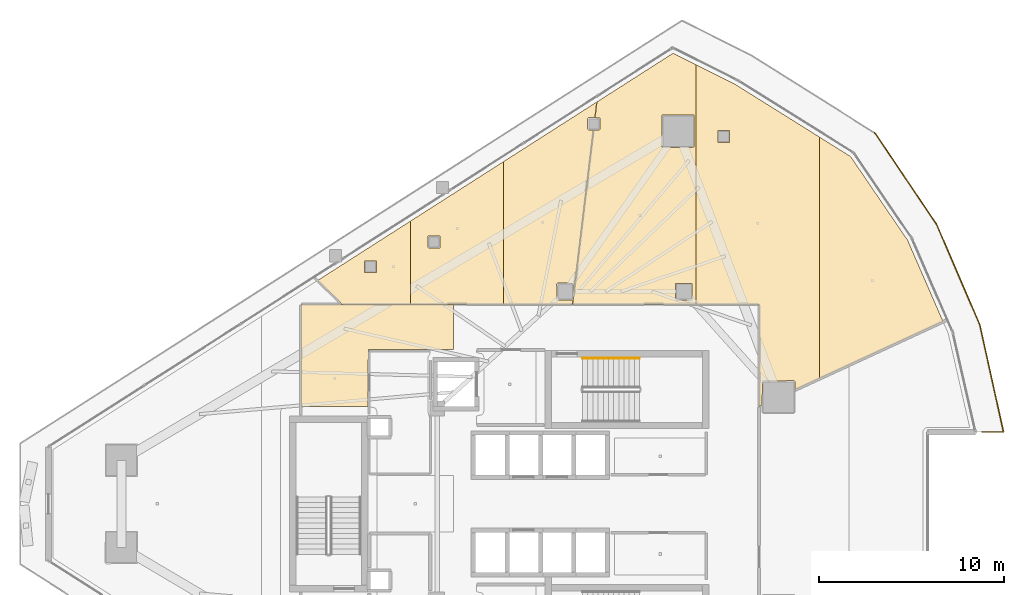
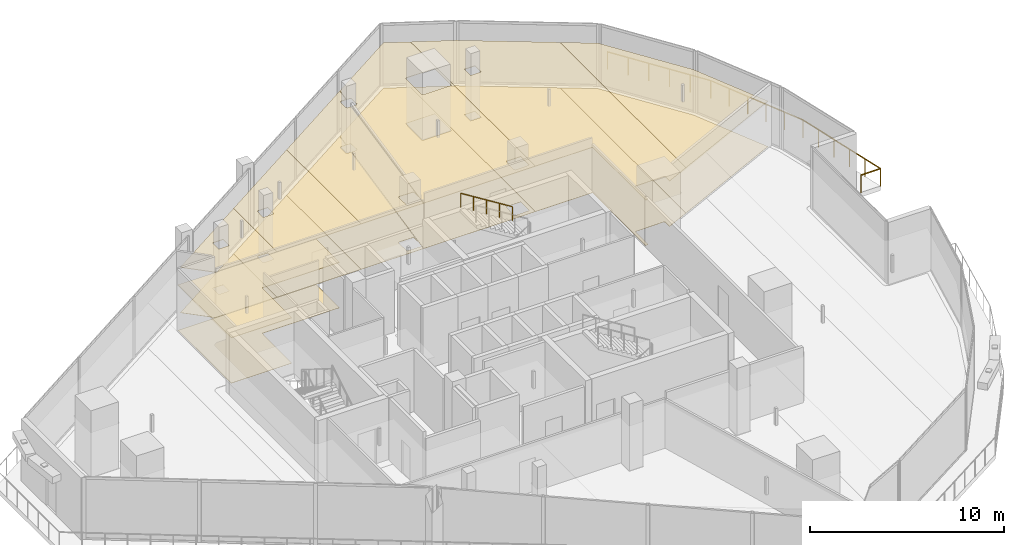
# One storey, part 31 of 31: 14 coverings, 2 railings.
"""IFC4 building model written with IfcOpenShell, lengths in metres."""

from ifc_helpers import new_model, si_unit, direction, frame, origin, origin_2d, place, context, subcontext, project, spatial, polyline, circle, outline, extrude, material, layer, layer_set, type_object, element, save


model = new_model("IFC4")

# Units and contexts
model_context = context("Model", 3, precision=1e-05, world=origin(), true_north=direction((0.0, 1.0)))
body_context = subcontext(model_context, "Body", "Model", "MODEL_VIEW")
ifc_project = project(units=[si_unit("LENGTHUNIT", "METRE"), si_unit("AREAUNIT", "SQUARE_METRE"), si_unit("VOLUMEUNIT", "CUBIC_METRE"), si_unit("PLANEANGLEUNIT", "RADIAN"), si_unit("MASSUNIT", "GRAM", prefix="KILO")], contexts=[model_context])

# Site, building, storey
site_placement = place(None, origin())
site = spatial("IfcSite", under=ifc_project, at=site_placement, CompositionType="ELEMENT")
building_placement = place(site_placement, origin())
building = spatial("IfcBuilding", under=site, at=building_placement, Name="Qorvath Tower", CompositionType="ELEMENT")
storey_placement = place(building_placement, frame((0.0, 0.0, 259.800048828125)))
storey = spatial("IfcBuildingStorey", under=building, at=storey_placement, Name="L60", CompositionType="ELEMENT", Elevation=259.800048828125)

# Coverings
ifc_material_1 = material(Name="Acoustic mineral fibre ceiling tile", Category="gypsum")
ifc_layer_1 = layer(ifc_material_1, 0.030029296875)
ifc_layer_set_1 = layer_set([ifc_layer_1], Name="COV-CEIL")
covering_type_1 = type_object("IfcCoveringType", Name="COV-CEIL", PredefinedType="CEILING", material=ifc_layer_set_1)
covering_1_placement = place(storey_placement, frame((0.0, 0.0, 2.849853515625)))
element("IfcCovering", 1, at=covering_1_placement, inside=storey, type_object=covering_type_1, Name="L60 Suspended Acoustic Ceiling 008", PredefinedType="CEILING", context=body_context, shape_type="SweptSolid", body=[
    extrude(outline(polyline([(-29.614990234375, 8.324951171875), (-29.614990234375, 10.7451171875), (-37.844970703125, 10.7451171875), (-37.844970703125, 5.239990234375), (-34.2509765625, 5.239990234375), (-34.219970703125, 8.324951171875), (-29.614990234375, 8.324951171875)])), origin(), (0.0, 0.0, 1.0), 0.030029296875),
])
covering_2_placement = place(storey_placement, frame((0.0, 0.0, 2.849853515625)))
element("IfcCovering", 2, at=covering_2_placement, inside=storey, type_object=covering_type_1, Name="L60 Suspended Acoustic Ceiling 016", PredefinedType="CEILING", context=body_context, shape_type="SweptSolid", body=[
    extrude(outline(polyline([(-17.787109375, 24.300048828125), (-21.8857421875, 21.680419921875), (-21.98828125, 20.829833984375), (-21.73583984375, 20.812255859375), (-21.71826171875, 20.219970703125), (-21.7783203125, 20.159912109375), (-22.06884765625, 20.159912109375), (-23.19970703125, 10.762939453125), (-16.541015625, 10.761962890625), (-16.541015625, 23.677001953125), (-17.787109375, 24.300048828125)]), holes=[polyline([(-18.400390625, 19.276611328125), (-18.3828125, 20.968994140625), (-16.648193359375, 20.968994140625), (-16.648193359375, 19.234130859375), (-18.340576171875, 19.216552734375), (-18.400390625, 19.276611328125)]), polyline([(-17.659912109375, 11.050048828125), (-17.642333984375, 11.892333984375), (-16.757568359375, 11.892333984375), (-16.757568359375, 11.007568359375), (-17.60009765625, 10.989990234375), (-17.659912109375, 11.050048828125)])]), origin(), (0.0, 0.0, 1.0), 0.030029296875),
])
covering_3_placement = place(storey_placement, frame((0.0, 0.0, 2.849853515625)))
element("IfcCovering", 3, at=covering_3_placement, inside=storey, type_object=covering_type_1, Name="L60 Suspended Acoustic Ceiling 017", PredefinedType="CEILING", context=body_context, shape_type="SweptSolid", body=[
    extrude(outline(polyline([(-16.541015625, 23.677001953125), (-16.541015625, 10.761962890625), (-13.138427734375, 10.761474609375), (-13.136962890625, 5.25927734375), (-12.981689453125, 5.3310546875), (-12.964111328125, 6.625244140625), (-11.271728515625, 6.642822265625), (-11.2119140625, 6.5830078125), (-11.2119140625, 6.14794921875), (-9.882080078125, 6.76171875), (-9.882080078125, 19.778076171875), (-14.4140625, 22.613525390625), (-16.541015625, 23.677001953125)]), holes=[polyline([(-15.363525390625, 19.500732421875), (-15.363525390625, 20.135498046875), (-14.728759765625, 20.135498046875), (-14.728759765625, 19.500732421875), (-15.363525390625, 19.500732421875)])]), origin(), (0.0, 0.0, 1.0), 0.030029296875),
])
covering_4_placement = place(storey_placement, frame((0.0, 0.0, 2.849853515625)))
element("IfcCovering", 4, at=covering_4_placement, inside=storey, type_object=covering_type_1, Name="L60 Suspended Acoustic Ceiling 018", PredefinedType="CEILING", context=body_context, shape_type="SweptSolid", body=[
    extrude(outline(polyline([(-9.882080078125, 19.778076171875), (-9.882080078125, 6.76171875), (-3.223388671875, 9.83544921875), (-5.135986328125, 14.220947265625), (-8.21044921875, 18.732177734375), (-9.882080078125, 19.778076171875)])), origin(), (0.0, 0.0, 1.0), 0.030029296875),
])
covering_5_placement = place(storey_placement, frame((0.0, 0.0, 2.849853515625)))
element("IfcCovering", 5, at=covering_5_placement, inside=storey, type_object=covering_type_1, Name="L60 Suspended Acoustic Ceiling 019", PredefinedType="CEILING", context=body_context, shape_type="SweptSolid", body=[
    extrude(outline(polyline([(-31.93994140625, 10.762939453125), (-31.93994140625, 15.25439453125), (-36.95703125, 12.0478515625), (-35.626708984375, 10.762939453125), (-31.93994140625, 10.762939453125)]), holes=[polyline([(-34.421630859375, 12.47509765625), (-34.421630859375, 13.10986328125), (-33.786865234375, 13.10986328125), (-33.786865234375, 12.47509765625), (-34.421630859375, 12.47509765625)])]), origin(), (0.0, 0.0, 1.0), 0.030029296875),
])
covering_6_placement = place(storey_placement, frame((0.0, 0.0, 2.849853515625)))
element("IfcCovering", 6, at=covering_6_placement, inside=storey, type_object=covering_type_1, Name="L60 Suspended Acoustic Ceiling 020", PredefinedType="CEILING", context=body_context, shape_type="SweptSolid", body=[
    extrude(outline(polyline([(-26.922607421875, 10.762939453125), (-26.922607421875, 18.461181640625), (-31.93994140625, 15.25439453125), (-31.93994140625, 10.762939453125), (-26.922607421875, 10.762939453125)]), holes=[polyline([(-31.01220703125, 13.849365234375), (-30.99462890625, 14.441650390625), (-30.35986328125, 14.441650390625), (-30.35986328125, 13.806884765625), (-30.9521484375, 13.789306640625), (-31.01220703125, 13.849365234375)])]), origin(), (0.0, 0.0, 1.0), 0.030029296875),
])
covering_7_placement = place(storey_placement, frame((0.0, 0.0, 2.849853515625)))
element("IfcCovering", 7, at=covering_7_placement, inside=storey, type_object=covering_type_1, Name="L60 Suspended Acoustic Ceiling 021", PredefinedType="CEILING", context=body_context, shape_type="SweptSolid", body=[
    extrude(outline(polyline([(-22.328125, 20.829833984375), (-22.00634765625, 20.829833984375), (-21.905517578125, 21.667724609375), (-26.922607421875, 18.461181640625), (-26.922607421875, 10.762939453125), (-23.2177734375, 10.762939453125), (-23.18994140625, 10.994140625), (-24.04248046875, 11.007568359375), (-24.06005859375, 11.85009765625), (-24.0, 11.909912109375), (-23.157470703125, 11.892333984375), (-23.139892578125, 11.40966796875), (-22.0869140625, 20.159912109375), (-22.328125, 20.159912109375), (-22.38818359375, 20.219970703125), (-22.38818359375, 20.77001953125), (-22.328125, 20.829833984375)])), origin(), (0.0, 0.0, 1.0), 0.030029296875),
])
ifc_material_2 = material(Name="Low-VOC modular carpet tile", Category="textile")
ifc_layer_2 = layer(ifc_material_2, 0.014892578125)
ifc_layer_set_2 = layer_set([ifc_layer_2], Name="COV-FLOOR-CPT")
covering_type_2 = type_object("IfcCoveringType", Name="COV-FLOOR-CPT", PredefinedType="FLOORING", material=ifc_layer_set_2)
covering_8_placement = place(storey_placement, origin())
element("IfcCovering", 8, at=covering_8_placement, inside=storey, type_object=covering_type_2, Name="L60 Floor Finish 016", PredefinedType="FLOORING", context=body_context, shape_type="SweptSolid", body=[
    extrude(outline(polyline([(-17.787109375, 24.300048828125), (-21.8857421875, 21.680419921875), (-21.98828125, 20.829833984375), (-21.73583984375, 20.812255859375), (-21.71826171875, 20.219970703125), (-21.7783203125, 20.159912109375), (-22.06884765625, 20.159912109375), (-23.19970703125, 10.762939453125), (-16.541015625, 10.761962890625), (-16.541015625, 23.677001953125), (-17.787109375, 24.300048828125)]), holes=[polyline([(-18.400390625, 19.276611328125), (-18.3828125, 20.968994140625), (-16.648193359375, 20.968994140625), (-16.648193359375, 19.234130859375), (-18.340576171875, 19.216552734375), (-18.400390625, 19.276611328125)]), polyline([(-17.659912109375, 11.050048828125), (-17.642333984375, 11.892333984375), (-16.757568359375, 11.892333984375), (-16.757568359375, 11.007568359375), (-17.60009765625, 10.989990234375), (-17.659912109375, 11.050048828125)])]), origin(), (0.0, 0.0, 1.0), 0.014892578125),
])
covering_9_placement = place(storey_placement, origin())
element("IfcCovering", 9, at=covering_9_placement, inside=storey, type_object=covering_type_2, Name="L60 Floor Finish 017", PredefinedType="FLOORING", context=body_context, shape_type="SweptSolid", body=[
    extrude(outline(polyline([(-16.541015625, 23.677001953125), (-16.541015625, 10.761962890625), (-13.138427734375, 10.761474609375), (-13.136962890625, 5.25927734375), (-12.981689453125, 5.3310546875), (-12.964111328125, 6.625244140625), (-11.271728515625, 6.642822265625), (-11.2119140625, 6.5830078125), (-11.2119140625, 6.14794921875), (-9.882080078125, 6.76171875), (-9.882080078125, 19.778076171875), (-14.4140625, 22.613525390625), (-16.541015625, 23.677001953125)]), holes=[polyline([(-15.363525390625, 19.500732421875), (-15.363525390625, 20.135498046875), (-14.728759765625, 20.135498046875), (-14.728759765625, 19.500732421875), (-15.363525390625, 19.500732421875)])]), origin(), (0.0, 0.0, 1.0), 0.014892578125),
])
covering_10_placement = place(storey_placement, origin())
element("IfcCovering", 10, at=covering_10_placement, inside=storey, type_object=covering_type_2, Name="L60 Floor Finish 018", PredefinedType="FLOORING", context=body_context, shape_type="SweptSolid", body=[
    extrude(outline(polyline([(-9.882080078125, 19.778076171875), (-9.882080078125, 6.76171875), (-3.223388671875, 9.83544921875), (-5.135986328125, 14.220947265625), (-8.21044921875, 18.732177734375), (-9.882080078125, 19.778076171875)])), origin(), (0.0, 0.0, 1.0), 0.014892578125),
])
covering_11_placement = place(storey_placement, origin())
element("IfcCovering", 11, at=covering_11_placement, inside=storey, type_object=covering_type_2, Name="L60 Floor Finish 019", PredefinedType="FLOORING", context=body_context, shape_type="SweptSolid", body=[
    extrude(outline(polyline([(-31.93994140625, 10.762939453125), (-31.93994140625, 15.25439453125), (-36.95703125, 12.0478515625), (-35.626708984375, 10.762939453125), (-31.93994140625, 10.762939453125)]), holes=[polyline([(-34.421630859375, 12.47509765625), (-34.421630859375, 13.10986328125), (-33.786865234375, 13.10986328125), (-33.786865234375, 12.47509765625), (-34.421630859375, 12.47509765625)])]), origin(), (0.0, 0.0, 1.0), 0.014892578125),
])
covering_12_placement = place(storey_placement, origin())
element("IfcCovering", 12, at=covering_12_placement, inside=storey, type_object=covering_type_2, Name="L60 Floor Finish 020", PredefinedType="FLOORING", context=body_context, shape_type="SweptSolid", body=[
    extrude(outline(polyline([(-26.922607421875, 10.762939453125), (-26.922607421875, 18.461181640625), (-31.93994140625, 15.25439453125), (-31.93994140625, 10.762939453125), (-26.922607421875, 10.762939453125)]), holes=[polyline([(-31.01220703125, 13.849365234375), (-30.99462890625, 14.441650390625), (-30.35986328125, 14.441650390625), (-30.35986328125, 13.806884765625), (-30.9521484375, 13.789306640625), (-31.01220703125, 13.849365234375)])]), origin(), (0.0, 0.0, 1.0), 0.014892578125),
])
covering_13_placement = place(storey_placement, origin())
element("IfcCovering", 13, at=covering_13_placement, inside=storey, type_object=covering_type_2, Name="L60 Floor Finish 021", PredefinedType="FLOORING", context=body_context, shape_type="SweptSolid", body=[
    extrude(outline(polyline([(-22.328125, 20.829833984375), (-22.00634765625, 20.829833984375), (-21.905517578125, 21.667724609375), (-26.922607421875, 18.461181640625), (-26.922607421875, 10.762939453125), (-23.2177734375, 10.762939453125), (-23.18994140625, 10.994140625), (-24.04248046875, 11.007568359375), (-24.06005859375, 11.85009765625), (-24.0, 11.909912109375), (-23.157470703125, 11.892333984375), (-23.139892578125, 11.40966796875), (-22.0869140625, 20.159912109375), (-22.328125, 20.159912109375), (-22.38818359375, 20.219970703125), (-22.38818359375, 20.77001953125), (-22.328125, 20.829833984375)])), origin(), (0.0, 0.0, 1.0), 0.014892578125),
])
ifc_material_3 = material(Name="Polished epoxy terrazzo flooring", Category="concrete")
ifc_layer_3 = layer(ifc_material_3, 0.02001953125)
ifc_layer_set_3 = layer_set([ifc_layer_3], Name="COV-FLOOR-TRZ")
covering_type_3 = type_object("IfcCoveringType", Name="COV-FLOOR-TRZ", PredefinedType="FLOORING", material=ifc_layer_set_3)
covering_14_placement = place(storey_placement, origin())
element("IfcCovering", 14, at=covering_14_placement, inside=storey, type_object=covering_type_3, Name="L60 Floor Finish 008", PredefinedType="FLOORING", context=body_context, shape_type="SweptSolid", body=[
    extrude(outline(polyline([(-29.614990234375, 8.324951171875), (-29.614990234375, 10.7451171875), (-37.844970703125, 10.7451171875), (-37.844970703125, 5.239990234375), (-34.2509765625, 5.239990234375), (-34.219970703125, 8.324951171875), (-29.614990234375, 8.324951171875)])), origin(), (0.0, 0.0, 1.0), 0.014892578125),
])

# Railings
ifc_material_4 = material(Name="Laminated safety glass and stainless steel AISI 316", Category="steel")
railing_type_1 = type_object("IfcRailingType", Name="RL-EXT-GRD", PredefinedType="GUARDRAIL", material=ifc_material_4)
railing_1_placement = place(storey_placement, frame((-6.9091796875, 20.01513671875, 0.0)))
element("IfcRailing", 15, at=railing_1_placement, inside=storey, type_object=railing_type_1, Name="Loggia Perimeter Guardrail L60-1.1", PredefinedType="GUARDRAIL", context=body_context, shape_type="SweptSolid", body=[
    extrude(circle(Radius=0.02392578125, at=origin_2d()), frame((0.0, 0.0, 1.09619140625), z_axis=(0.560823562392, -0.827935342805, 0.0), x_axis=(0.827935342805, 0.560823562392, 0.0)), (0.0, 0.0, 1.0), 5.92919921875),
    extrude(circle(Radius=0.02392578125, at=origin_2d()), frame((3.3251953125, -4.908935546875, 1.09619140625), z_axis=(0.395474271898, -0.91847705484, 0.0), x_axis=(0.91847705484, 0.395474271898, 0.0)), (0.0, 0.0, 1.0), 5.928955078125),
    extrude(circle(Radius=0.02392578125, at=origin_2d()), frame((5.669921875, -10.3544921875, 1.09619140625), z_axis=(0.216101975882, -0.976370798426, 0.0), x_axis=(0.976370798426, 0.216101975882, 0.0)), (0.0, 0.0, 1.0), 5.928955078125),
    extrude(circle(Radius=0.02392578125, at=origin_2d()), frame((6.951171875, -16.143310546875, 1.09619140625), z_axis=(-1.0, 0.0, 0.0), x_axis=(0.0, -1.0, 0.0)), (0.0, 0.0, 1.0), 1.158935546875),
    extrude(circle(Radius=0.02099609375, at=origin_2d()), origin(), (0.0, 0.0, 1.0), 1.072021484375),
    extrude(circle(Radius=0.02099609375, at=origin_2d()), frame((0.6650390625, -0.981689453125, 0.0)), (0.0, 0.0, 1.0), 1.072021484375),
    extrude(circle(Radius=0.02099609375, at=origin_2d()), frame((1.330078125, -1.963623046875, 0.0)), (0.0, 0.0, 1.0), 1.072021484375),
    extrude(circle(Radius=0.02099609375, at=origin_2d()), frame((1.9951171875, -2.9453125, 0.0)), (0.0, 0.0, 1.0), 1.072021484375),
    extrude(circle(Radius=0.02099609375, at=origin_2d()), frame((2.66015625, -3.92724609375, 0.0)), (0.0, 0.0, 1.0), 1.072021484375),
    extrude(circle(Radius=0.02099609375, at=origin_2d()), frame((3.3251953125, -4.908935546875, 0.0)), (0.0, 0.0, 1.0), 1.072021484375),
    extrude(circle(Radius=0.02099609375, at=origin_2d()), frame((3.794189453125, -5.998046875, 0.0)), (0.0, 0.0, 1.0), 1.072021484375),
    extrude(circle(Radius=0.02099609375, at=origin_2d()), frame((4.26318359375, -7.087158203125, 0.0)), (0.0, 0.0, 1.0), 1.072021484375),
    extrude(circle(Radius=0.02099609375, at=origin_2d()), frame((4.73193359375, -8.17626953125, 0.0)), (0.0, 0.0, 1.0), 1.072021484375),
    extrude(circle(Radius=0.02099609375, at=origin_2d()), frame((5.200927734375, -9.265380859375, 0.0)), (0.0, 0.0, 1.0), 1.072021484375),
    extrude(circle(Radius=0.02099609375, at=origin_2d()), frame((5.669921875, -10.3544921875, 0.0)), (0.0, 0.0, 1.0), 1.072021484375),
    extrude(circle(Radius=0.02099609375, at=origin_2d()), frame((5.92626953125, -11.51220703125, 0.0)), (0.0, 0.0, 1.0), 1.072021484375),
    extrude(circle(Radius=0.02099609375, at=origin_2d()), frame((6.182373046875, -12.669921875, 0.0)), (0.0, 0.0, 1.0), 1.072021484375),
    extrude(circle(Radius=0.02099609375, at=origin_2d()), frame((6.438720703125, -13.827880859375, 0.0)), (0.0, 0.0, 1.0), 1.072021484375),
    extrude(circle(Radius=0.02099609375, at=origin_2d()), frame((6.69482421875, -14.985595703125, 0.0)), (0.0, 0.0, 1.0), 1.072021484375),
    extrude(circle(Radius=0.02099609375, at=origin_2d()), frame((6.951171875, -16.143310546875, 0.0)), (0.0, 0.0, 1.0), 1.072021484375),
    extrude(circle(Radius=0.02099609375, at=origin_2d()), frame((5.792236328125, -16.143310546875, 0.0)), (0.0, 0.0, 1.0), 1.072021484375),
])
ifc_material_5 = material(Name="Brushed stainless steel AISI 304", Category="steel")
railing_type_2 = type_object("IfcRailingType", Name="RL-STR-HND", PredefinedType="HANDRAIL", material=ifc_material_5)
railing_2_placement = place(storey_placement, frame((-19.590087890625, 7.860107421875, 2.27490234375)))
element("IfcRailing", 16, at=railing_2_placement, inside=storey, type_object=railing_type_2, Name="L60 TS1 stair handrail 2", PredefinedType="HANDRAIL", context=body_context, shape_type="SweptSolid", body=[
    extrude(circle(Radius=0.02392578125, at=origin_2d()), frame((0.0, 0.0, 0.8759765625), z_axis=(-0.847979421464, 0.0, 0.530029150871), x_axis=(0.0, -1.0, 0.0)), (0.0, 0.0, 1.0), 3.632080078125),
    extrude(circle(Radius=0.02099609375, at=origin_2d()), origin(), (0.0, 0.0, 1.0), 0.851806640625),
    extrude(circle(Radius=0.02099609375, at=origin_2d()), frame((-0.77001953125, 0.0, 0.481201171875)), (0.0, 0.0, 1.0), 0.851806640625),
    extrude(circle(Radius=0.02099609375, at=origin_2d()), frame((-1.5400390625, 0.0, 0.96240234375)), (0.0, 0.0, 1.0), 0.851806640625),
    extrude(circle(Radius=0.02099609375, at=origin_2d()), frame((-2.309814453125, 0.0, 1.44384765625)), (0.0, 0.0, 1.0), 0.851806640625),
    extrude(circle(Radius=0.02099609375, at=origin_2d()), frame((-3.079833984375, 0.0, 1.925048828125)), (0.0, 0.0, 1.0), 0.851806640625),
])

save(model, "model.ifc")
